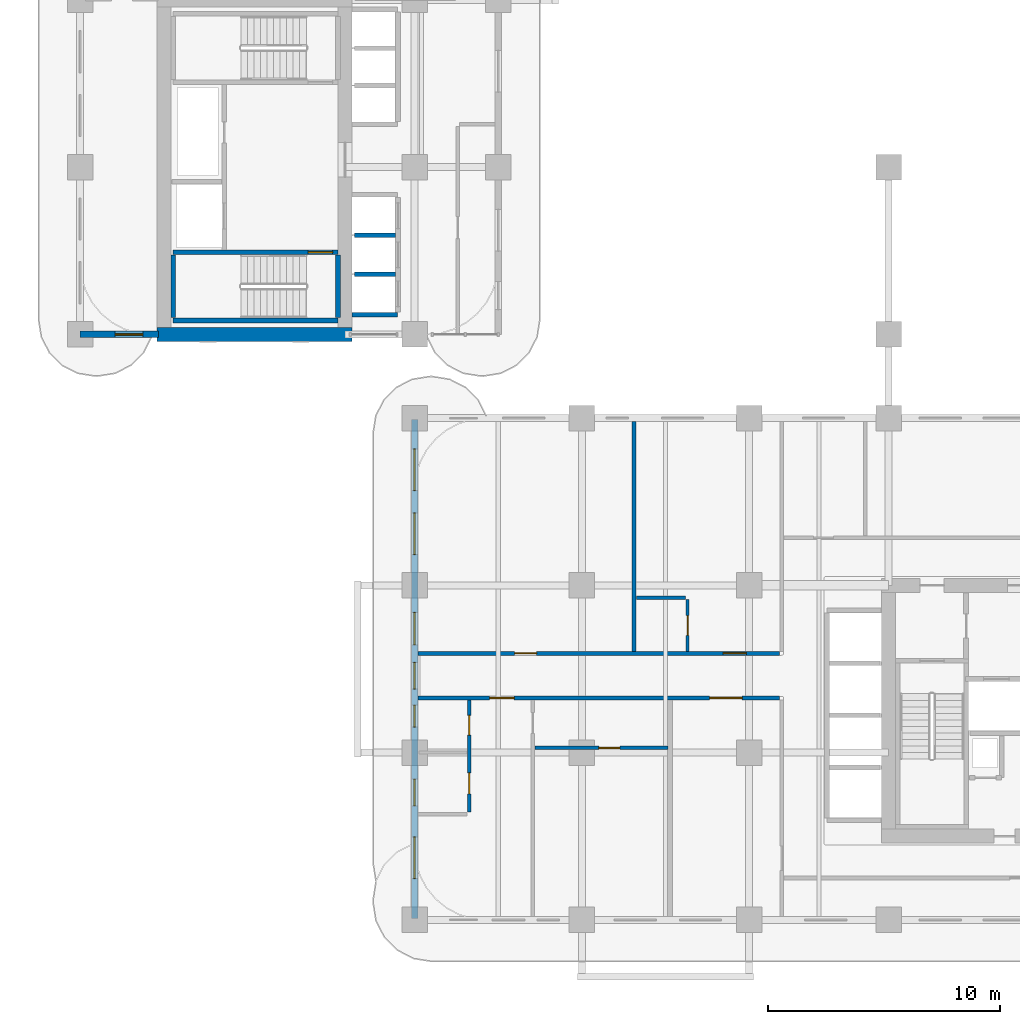
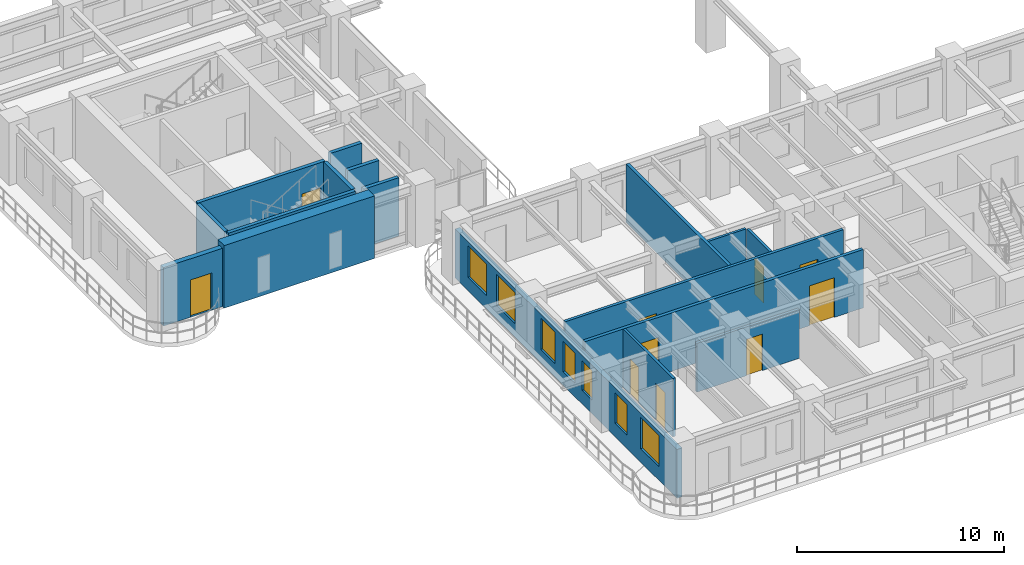
# One storey, part 6 of 18: 17 walls, 10 doors, 7 windows, 17 openings.
"""IFC4 building model written with IfcOpenShell, lengths in metres."""

from ifc_helpers import new_model, si_unit, derived_unit, direction, frame, frame_2d, origin, place, context, subcontext, project, spatial, rectangle, extrude, source, transform, mapped, material, layer, layer_set, type_object, type_shapes, element, fill, save


model = new_model("IFC4")

# Units and contexts
model_context = context("Model", 3, precision=1e-05, world=origin(), true_north=direction((0.0, 1.0)))
body_context = subcontext(model_context, "Body", "Model", "MODEL_VIEW")
ifc_project = project(units=[si_unit("LENGTHUNIT", "METRE"), si_unit("AREAUNIT", "SQUARE_METRE"), si_unit("VOLUMEUNIT", "CUBIC_METRE"), si_unit("PLANEANGLEUNIT", "RADIAN"), si_unit("MASSUNIT", "GRAM", prefix="KILO"), si_unit("THERMODYNAMICTEMPERATUREUNIT", "KELVIN"), si_unit("POWERUNIT", "WATT"), derived_unit("THERMALTRANSMITTANCEUNIT", [(si_unit("POWERUNIT", "WATT"), 1), (si_unit("AREAUNIT", "SQUARE_METRE"), -1), (si_unit("THERMODYNAMICTEMPERATUREUNIT", "KELVIN"), -1)])], contexts=[model_context])

# Site, building, storey
site_placement = place(None, origin())
site = spatial("IfcSite", under=ifc_project, at=site_placement, CompositionType="ELEMENT")
building_placement = place(site_placement, origin())
building = spatial("IfcBuilding", under=site, at=building_placement, Name="Zahravan Archway Hotel and Residences", CompositionType="ELEMENT")
storey_placement = place(building_placement, frame((0.0, 0.0, 58.300048828125)))
storey = spatial("IfcBuildingStorey", under=building, at=storey_placement, Name="L13", CompositionType="ELEMENT", Elevation=58.300048828125)

# Wall
ifc_material_1 = material(Name="Concrete C70/85", Category="concrete")
ifc_layer_1 = layer(ifc_material_1, 0.60009765625, Name="Concrete C70/85", Category="concrete")
ifc_layer_set_1 = layer_set([ifc_layer_1], Name="Concrete C70/85")
wall_type_1 = type_object("IfcWallType", Name="CW-CORE-600", PredefinedType="SHEAR", material=ifc_layer_set_1)
wall_1_placement = place(storey_placement, frame((3.300048828125, 25.199951171875, 0.0), z_axis=(0.0, 0.0, 1.0), x_axis=(1.0, 0.0, 0.0)))
element("IfcWall", 1, at=wall_1_placement, inside=storey, type_object=wall_type_1, Name="L13 Core B Shear S Wall 600 mm", PredefinedType="SHEAR", context=body_context, shape_type="SweptSolid", body=[
    extrude(rectangle(XDim=8.39990234375, YDim=0.60009765625, at=frame_2d((4.199951171875, 0.0))), origin(), (0.0, 0.0, 1.0), 3.699951171875),
])

# Wall, openings, windows
ifc_material_2 = material(Name="Honed Red-Ochre Sandstone & Insulated Block", Category="masonry")
ifc_layer_2 = layer(ifc_material_2, 0.280029296875, Name="Honed Red-Ochre Sandstone & Insulated Block", Category="masonry")
ifc_layer_set_2 = layer_set([ifc_layer_2], Name="Honed Red-Ochre Sandstone & Insulated Block")
wall_type_2 = type_object("IfcWallType", Name="EW-LOG-280", PredefinedType="SOLIDWALL", material=ifc_layer_set_2)
wall_2_placement = place(storey_placement, frame((14.39990234375, 0.050048828125, 0.0), z_axis=(0.0, 0.0, 1.0), x_axis=(0.0, 1.0, 0.0)))
wall_2 = element("IfcWall", 2, at=wall_2_placement, inside=storey, type_object=wall_type_2, Name="L13 Exterior Sandstone Wall WA-W", PredefinedType="SOLIDWALL", context=body_context, shape_type="SweptSolid", body=[
    extrude(rectangle(XDim=21.5, YDim=0.280029296875, at=frame_2d((10.75, 0.0))), origin(), (0.0, 0.0, 1.0), 2.885009765625),
])
opening_1_placement = place(wall_2_placement, frame((1.720947265625, 0.0, 0.800048828125)))
opening_1 = element("IfcOpeningElement", 3, at=opening_1_placement, cuts=wall_2, Name="Opening W-02", PredefinedType="OPENING", context=body_context, shape_type="SweptSolid", body=[
    extrude(rectangle(XDim=1.800048828125, YDim=1.85009765625, at=frame_2d((0.89990234375, 0.925048828125))), frame((0.0, 0.14990234375, 0.0), z_axis=(0.0, -1.0, 0.0), x_axis=(1.0, 0.0, 0.0)), (0.0, 0.0, 1.0), 0.300048828125),
])
opening_2_placement = place(wall_2_placement, frame((4.85400390625, 0.0, 0.800048828125)))
opening_2 = element("IfcOpeningElement", 4, at=opening_2_placement, cuts=wall_2, Name="Opening W-05", PredefinedType="OPENING", context=body_context, shape_type="SweptSolid", body=[
    extrude(rectangle(XDim=1.14990234375, YDim=1.800048828125, at=frame_2d((0.574951171875, 0.89990234375))), frame((0.0, 0.14990234375, 0.0), z_axis=(0.0, -1.0, 0.0), x_axis=(1.0, 0.0, 0.0)), (0.0, 0.0, 1.0), 0.300048828125),
])
opening_3_placement = place(wall_2_placement, frame((8.24609375, 0.0, 0.800048828125)))
opening_3 = element("IfcOpeningElement", 5, at=opening_3_placement, cuts=wall_2, Name="Opening W-04", PredefinedType="OPENING", context=body_context, shape_type="SweptSolid", body=[
    extrude(rectangle(XDim=0.949951171875, YDim=1.75, at=frame_2d((0.47509765625, 0.875))), frame((0.0, 0.14990234375, 0.0), z_axis=(0.0, -1.0, 0.0), x_axis=(1.0, 0.0, 0.0)), (0.0, 0.0, 1.0), 0.300048828125),
])
opening_4_placement = place(wall_2_placement, frame((9.885009765625, 0.0, 0.800048828125)))
opening_4 = element("IfcOpeningElement", 6, at=opening_4_placement, cuts=wall_2, Name="Opening W-05", PredefinedType="OPENING", context=body_context, shape_type="SweptSolid", body=[
    extrude(rectangle(XDim=1.14990234375, YDim=1.800048828125, at=frame_2d((0.574951171875, 0.89990234375))), frame((0.0, 0.14990234375, 0.0), z_axis=(0.0, -1.0, 0.0), x_axis=(1.0, 0.0, 0.0)), (0.0, 0.0, 1.0), 0.300048828125),
])
opening_5_placement = place(wall_2_placement, frame((11.7890625, 0.0, 0.800048828125)))
opening_5 = element("IfcOpeningElement", 7, at=opening_5_placement, cuts=wall_2, Name="Opening W-03", PredefinedType="OPENING", context=body_context, shape_type="SweptSolid", body=[
    extrude(rectangle(XDim=1.39990234375, YDim=1.85009765625, at=frame_2d((0.699951171875, 0.925048828125))), frame((0.0, 0.14990234375, 0.0), z_axis=(0.0, -1.0, 0.0), x_axis=(1.0, 0.0, 0.0)), (0.0, 0.0, 1.0), 0.300048828125),
])
opening_6_placement = place(wall_2_placement, frame((15.675048828125, 0.0, 0.800048828125)))
opening_6 = element("IfcOpeningElement", 8, at=opening_6_placement, cuts=wall_2, Name="Opening W-02", PredefinedType="OPENING", context=body_context, shape_type="SweptSolid", body=[
    extrude(rectangle(XDim=1.800048828125, YDim=1.85009765625, at=frame_2d((0.89990234375, 0.925048828125))), frame((0.0, 0.14990234375, 0.0), z_axis=(0.0, -1.0, 0.0), x_axis=(1.0, 0.0, 0.0)), (0.0, 0.0, 1.0), 0.300048828125),
])
opening_7_placement = place(wall_2_placement, frame((18.425048828125, 0.0, 0.800048828125)))
opening_7 = element("IfcOpeningElement", 9, at=opening_7_placement, cuts=wall_2, Name="Opening W-02", PredefinedType="OPENING", context=body_context, shape_type="SweptSolid", body=[
    extrude(rectangle(XDim=1.800048828125, YDim=1.85009765625, at=frame_2d((0.89990234375, 0.925048828125))), frame((0.0, 0.14990234375, 0.0), z_axis=(0.0, -1.0, 0.0), x_axis=(1.0, 0.0, 0.0)), (0.0, 0.0, 1.0), 0.300048828125),
])
ifc_material_3 = material(Name="Bronze-Anodized Thermal-Break Aluminium & Low-E Glass", Category="aluminium")
window_type_1 = type_object("IfcWindowType", Name="WIN-TWR-1400", PartitioningType="SINGLE_PANEL", PredefinedType="WINDOW", material=ifc_material_3)
shared_shape_1 = source(origin(), body_context, "Body", "SweptSolid", [
    extrude(rectangle(XDim=1.39990234375, YDim=1.85009765625, at=frame_2d((0.699951171875, 0.925048828125))), frame((0.0, 0.030029296875, 0.0), z_axis=(0.0, -1.0, 0.0), x_axis=(1.0, 0.0, 0.0)), (0.0, 0.0, 1.0), 0.06005859375),
])
type_shapes(window_type_1, [shared_shape_1])
window_1_placement = place(opening_5_placement, origin())
window_1 = element("IfcWindow", 10, at=window_1_placement, inside=storey, type_object=window_type_1, Name="L13 Loggia Window 31", OverallHeight=1.85009765625, OverallWidth=1.39990234375, PartitioningType="SINGLE_PANEL", PredefinedType="WINDOW", context=body_context, shape_type="MappedRepresentation", body=[
    mapped(shared_shape_1, transform((0.0, 0.0, 0.0), scale=1.0)),
])
fill(opening_5, window_1)
window_type_2 = type_object("IfcWindowType", Name="WIN-NAR-950", PartitioningType="SINGLE_PANEL", PredefinedType="WINDOW", material=ifc_material_3)
shared_shape_2 = source(origin(), body_context, "Body", "SweptSolid", [
    extrude(rectangle(XDim=0.949951171875, YDim=1.75, at=frame_2d((0.47509765625, 0.875))), frame((0.0, 0.030029296875, 0.0), z_axis=(0.0, -1.0, 0.0), x_axis=(1.0, 0.0, 0.0)), (0.0, 0.0, 1.0), 0.06005859375),
])
type_shapes(window_type_2, [shared_shape_2])
window_2_placement = place(opening_3_placement, origin())
window_2 = element("IfcWindow", 11, at=window_2_placement, inside=storey, type_object=window_type_2, Name="L13 Loggia Window 29", OverallHeight=1.75, OverallWidth=0.949951171875, PartitioningType="SINGLE_PANEL", PredefinedType="WINDOW", context=body_context, shape_type="MappedRepresentation", body=[
    mapped(shared_shape_2, transform((0.0, 0.0, 0.0), scale=1.0)),
])
fill(opening_3, window_2)
window_type_3 = type_object("IfcWindowType", Name="WIN-TWR-1800", PartitioningType="DOUBLE_PANEL_VERTICAL", PredefinedType="WINDOW", material=ifc_material_3)
shared_shape_3 = source(origin(), body_context, "Body", "SweptSolid", [
    extrude(rectangle(XDim=1.800048828125, YDim=1.85009765625, at=frame_2d((0.89990234375, 0.925048828125))), frame((0.0, 0.030029296875, 0.0), z_axis=(0.0, -1.0, 0.0), x_axis=(1.0, 0.0, 0.0)), (0.0, 0.0, 1.0), 0.06005859375),
])
type_shapes(window_type_3, [shared_shape_3])
window_3_placement = place(opening_1_placement, origin())
window_3 = element("IfcWindow", 12, at=window_3_placement, inside=storey, type_object=window_type_3, Name="L13 Loggia Window 27", OverallHeight=1.85009765625, OverallWidth=1.800048828125, PartitioningType="DOUBLE_PANEL_VERTICAL", PredefinedType="WINDOW", context=body_context, shape_type="MappedRepresentation", body=[
    mapped(shared_shape_3, transform((0.0, 0.0, 0.0), scale=1.0)),
])
fill(opening_1, window_3)
window_4_placement = place(opening_6_placement, origin())
window_4 = element("IfcWindow", 13, at=window_4_placement, inside=storey, type_object=window_type_3, Name="L13 Loggia Window 32", OverallHeight=1.85009765625, OverallWidth=1.800048828125, PartitioningType="DOUBLE_PANEL_VERTICAL", PredefinedType="WINDOW", context=body_context, shape_type="MappedRepresentation", body=[
    mapped(shared_shape_3, transform((0.0, 0.0, 0.0), scale=1.0)),
])
fill(opening_6, window_4)
window_5_placement = place(opening_7_placement, origin())
window_5 = element("IfcWindow", 14, at=window_5_placement, inside=storey, type_object=window_type_3, Name="L13 Loggia Window 33", OverallHeight=1.85009765625, OverallWidth=1.800048828125, PartitioningType="DOUBLE_PANEL_VERTICAL", PredefinedType="WINDOW", context=body_context, shape_type="MappedRepresentation", body=[
    mapped(shared_shape_3, transform((0.0, 0.0, 0.0), scale=1.0)),
])
fill(opening_7, window_5)
window_type_4 = type_object("IfcWindowType", Name="WIN-TWR-1150", PartitioningType="SINGLE_PANEL", PredefinedType="WINDOW", material=ifc_material_3)
shared_shape_4 = source(origin(), body_context, "Body", "SweptSolid", [
    extrude(rectangle(XDim=1.14990234375, YDim=1.800048828125, at=frame_2d((0.574951171875, 0.89990234375))), frame((0.0, 0.030029296875, 0.0), z_axis=(0.0, -1.0, 0.0), x_axis=(1.0, 0.0, 0.0)), (0.0, 0.0, 1.0), 0.06005859375),
])
type_shapes(window_type_4, [shared_shape_4])
window_6_placement = place(opening_2_placement, origin())
window_6 = element("IfcWindow", 15, at=window_6_placement, inside=storey, type_object=window_type_4, Name="L13 Loggia Window 28", OverallHeight=1.800048828125, OverallWidth=1.14990234375, PartitioningType="SINGLE_PANEL", PredefinedType="WINDOW", context=body_context, shape_type="MappedRepresentation", body=[
    mapped(shared_shape_4, transform((0.0, 0.0, 0.0), scale=1.0)),
])
fill(opening_2, window_6)
window_7_placement = place(opening_4_placement, origin())
window_7 = element("IfcWindow", 16, at=window_7_placement, inside=storey, type_object=window_type_4, Name="L13 Loggia Window 30", OverallHeight=1.800048828125, OverallWidth=1.14990234375, PartitioningType="SINGLE_PANEL", PredefinedType="WINDOW", context=body_context, shape_type="MappedRepresentation", body=[
    mapped(shared_shape_4, transform((0.0, 0.0, 0.0), scale=1.0)),
])
fill(opening_4, window_7)

# Wall, opening, door
wall_3_placement = place(storey_placement, frame((0.0, 25.199951171875, 0.0), z_axis=(0.0, 0.0, 1.0), x_axis=(1.0, 0.0, 0.0)))
wall_3 = element("IfcWall", 17, at=wall_3_placement, inside=storey, type_object=wall_type_2, Name="L13 Exterior Sandstone Wall WB-SW", PredefinedType="SOLIDWALL", context=body_context, shape_type="SweptSolid", body=[
    extrude(rectangle(XDim=3.3798828125, YDim=0.280029296875, at=frame_2d((1.68994140625, 0.0))), origin(), (0.0, 0.0, 1.0), 3.449951171875),
])
opening_8_placement = place(wall_3_placement, frame((1.5, 0.0, 0.0)))
opening_8 = element("IfcOpeningElement", 18, at=opening_8_placement, cuts=wall_3, Name="Opening ED-BL1", PredefinedType="OPENING", context=body_context, shape_type="SweptSolid", body=[
    extrude(rectangle(XDim=1.199951171875, YDim=2.199951171875, at=frame_2d((0.60009765625, 1.10009765625))), frame((0.0, 0.14990234375, 0.0), z_axis=(0.0, -1.0, 0.0), x_axis=(1.0, 0.0, 0.0)), (0.0, 0.0, 1.0), 0.300048828125),
])
ifc_material_4 = material(Name="Bronze-Anodized Glazed Aluminium", Category="aluminium")
door_type_1 = type_object("IfcDoorType", Name="ED-BALC-1200", OperationType="SLIDING_TO_LEFT", PredefinedType="DOOR", material=ifc_material_4)
shared_shape_5 = source(origin(), body_context, "Body", "SweptSolid", [
    extrude(rectangle(XDim=1.199951171875, YDim=2.199951171875, at=frame_2d((0.60009765625, 1.10009765625))), frame((0.0, 0.02490234375, 0.0), z_axis=(0.0, -1.0, 0.0), x_axis=(1.0, 0.0, 0.0)), (0.0, 0.0, 1.0), 0.050048828125),
])
type_shapes(door_type_1, [shared_shape_5])
door_1_placement = place(opening_8_placement, origin())
door_1 = element("IfcDoor", 19, at=door_1_placement, inside=storey, type_object=door_type_1, Name="L13 Outdoor Access Sliding Door (SLB-BAL-L13-WB)", OperationType="SLIDING_TO_LEFT", OverallHeight=2.199951171875, OverallWidth=1.199951171875, PredefinedType="DOOR", context=body_context, shape_type="MappedRepresentation", body=[
    mapped(shared_shape_5, transform((0.0, 0.0, 0.0), scale=1.0)),
])
fill(opening_8, door_1)

# Wall, openings, doors
ifc_material_5 = material(Name="Fire-Rated Gypsum & Concrete Block", Category="concrete")
ifc_layer_3 = layer(ifc_material_5, 0.159912109375, Name="Fire-Rated Gypsum & Concrete Block", Category="concrete")
ifc_layer_set_3 = layer_set([ifc_layer_3], Name="Fire-Rated Gypsum & Concrete Block")
wall_type_3 = type_object("IfcWallType", Name="PW-CORR-160", PredefinedType="PARTITIONING", material=ifc_layer_set_3)
wall_4_placement = place(storey_placement, frame((14.548095703125, 11.469970703125, 0.0), z_axis=(0.0, 0.0, 1.0), x_axis=(1.0, 0.0, 0.0)))
wall_4 = element("IfcWall", 20, at=wall_4_placement, inside=storey, type_object=wall_type_3, Name="L13 Partition WA-CN", PredefinedType="PARTITIONING", context=body_context, shape_type="SweptSolid", body=[
    extrude(rectangle(XDim=15.56201171875, YDim=0.159912109375, at=frame_2d((7.781005859375, 0.0))), origin(), (0.0, 0.0, 1.0), 3.449951171875),
])
opening_9_placement = place(wall_4_placement, frame((4.152099609375, 0.0, 0.0)))
opening_9 = element("IfcOpeningElement", 21, at=opening_9_placement, cuts=wall_4, Name="Opening D-I1", PredefinedType="OPENING", context=body_context, shape_type="SweptSolid", body=[
    extrude(rectangle(XDim=0.949951171875, YDim=2.14990234375, at=frame_2d((0.47509765625, 1.074951171875))), frame((0.0, 0.08984375, 0.0), z_axis=(0.0, -1.0, 0.0), x_axis=(1.0, 0.0, 0.0)), (0.0, 0.0, 1.0), 0.179931640625),
])
opening_10_placement = place(wall_4_placement, frame((13.126953125, 0.0, 0.0)))
opening_10 = element("IfcOpeningElement", 22, at=opening_10_placement, cuts=wall_4, Name="Opening D-U2", PredefinedType="OPENING", context=body_context, shape_type="SweptSolid", body=[
    extrude(rectangle(XDim=1.0, YDim=2.199951171875, at=frame_2d((0.5, 1.10009765625))), frame((0.0, 0.08984375, 0.0), z_axis=(0.0, -1.0, 0.0), x_axis=(1.0, 0.0, 0.0)), (0.0, 0.0, 1.0), 0.179931640625),
])
ifc_material_6 = material(Name="Hardwood Veneer Timber", Category="wood")
door_type_2 = type_object("IfcDoorType", Name="ID-INT-950", OperationType="NOTDEFINED", PredefinedType="DOOR", material=ifc_material_6)
shared_shape_6 = source(origin(), body_context, "Body", "SweptSolid", [
    extrude(rectangle(XDim=0.949951171875, YDim=2.14990234375, at=frame_2d((0.47509765625, 1.074951171875))), frame((0.0, 0.02490234375, 0.0), z_axis=(0.0, -1.0, 0.0), x_axis=(1.0, 0.0, 0.0)), (0.0, 0.0, 1.0), 0.050048828125),
])
type_shapes(door_type_2, [shared_shape_6])
door_2_placement = place(opening_9_placement, origin())
door_2 = element("IfcDoor", 23, at=door_2_placement, inside=storey, type_object=door_type_2, Name="L13 Portal Study Door", OperationType="SINGLE_SWING_RIGHT", OverallHeight=2.14990234375, OverallWidth=0.949951171875, PredefinedType="DOOR", context=body_context, shape_type="MappedRepresentation", body=[
    mapped(shared_shape_6, transform((0.0, 0.0, 0.0), scale=1.0)),
])
fill(opening_9, door_2)
door_type_3 = type_object("IfcDoorType", Name="ID-UNIT-1000", OperationType="NOTDEFINED", PredefinedType="DOOR", material=ifc_material_6)
shared_shape_7 = source(origin(), body_context, "Body", "SweptSolid", [
    extrude(rectangle(XDim=1.0, YDim=2.199951171875, at=frame_2d((0.5, 1.10009765625))), frame((0.0, 0.02490234375, 0.0), z_axis=(0.0, -1.0, 0.0), x_axis=(1.0, 0.0, 0.0)), (0.0, 0.0, 1.0), 0.050048828125),
])
type_shapes(door_type_3, [shared_shape_7])
door_3_placement = place(opening_10_placement, origin())
door_3 = element("IfcDoor", 24, at=door_3_placement, inside=storey, type_object=door_type_3, Name="L13 Hotel Guestroom 45 Entrance Door", OperationType="SINGLE_SWING_RIGHT", OverallHeight=2.199951171875, OverallWidth=1.0, PredefinedType="DOOR", context=body_context, shape_type="MappedRepresentation", body=[
    mapped(shared_shape_7, transform((0.0, 0.0, 0.0), scale=1.0)),
])
fill(opening_10, door_3)

ifc_layer_4 = layer(ifc_material_5, 0.179931640625, Name="Fire-Rated Gypsum & Concrete Block", Category="concrete")
ifc_layer_set_4 = layer_set([ifc_layer_4], Name="Fire-Rated Gypsum & Concrete Block")
wall_type_4 = type_object("IfcWallType", Name="PW-CORR-180", PredefinedType="PARTITIONING", material=ifc_layer_set_4)
wall_5_placement = place(storey_placement, frame((14.548095703125, 9.550048828125, 0.0), z_axis=(0.0, 0.0, 1.0), x_axis=(1.0, 0.0, 0.0)))
wall_5 = element("IfcWall", 25, at=wall_5_placement, inside=storey, type_object=wall_type_4, Name="L13 Partition WA-CS", PredefinedType="PARTITIONING", context=body_context, shape_type="SweptSolid", body=[
    extrude(rectangle(XDim=15.56201171875, YDim=0.179931640625, at=frame_2d((7.781005859375, 0.0))), origin(), (0.0, 0.0, 1.0), 3.449951171875),
])
opening_11_placement = place(wall_5_placement, frame((3.08203125, 0.0, 0.0)))
opening_11 = element("IfcOpeningElement", 26, at=opening_11_placement, cuts=wall_5, Name="Opening D-U1", PredefinedType="OPENING", context=body_context, shape_type="SweptSolid", body=[
    extrude(rectangle(XDim=1.050048828125, YDim=2.25, at=frame_2d((0.52490234375, 1.125))), frame((0.0, 0.10009765625, 0.0), z_axis=(0.0, -1.0, 0.0), x_axis=(1.0, 0.0, 0.0)), (0.0, 0.0, 1.0), 0.199951171875),
])
opening_12_placement = place(wall_5_placement, frame((12.552001953125, 0.0, 0.0)))
opening_12 = element("IfcOpeningElement", 27, at=opening_12_placement, cuts=wall_5, Name="Opening D-P1", PredefinedType="OPENING", context=body_context, shape_type="SweptSolid", body=[
    extrude(rectangle(XDim=1.39990234375, YDim=2.35009765625, at=frame_2d((0.699951171875, 1.175048828125))), frame((0.0, 0.10009765625, 0.0), z_axis=(0.0, -1.0, 0.0), x_axis=(1.0, 0.0, 0.0)), (0.0, 0.0, 1.0), 0.199951171875),
])
door_type_4 = type_object("IfcDoorType", Name="ID-PUBLIC-1400", OperationType="DOUBLE_DOOR_SINGLE_SWING", PredefinedType="DOOR", material=ifc_material_4)
shared_shape_8 = source(origin(), body_context, "Body", "SweptSolid", [
    extrude(rectangle(XDim=1.39990234375, YDim=2.35009765625, at=frame_2d((0.699951171875, 1.175048828125))), frame((0.0, 0.02490234375, 0.0), z_axis=(0.0, -1.0, 0.0), x_axis=(1.0, 0.0, 0.0)), (0.0, 0.0, 1.0), 0.050048828125),
])
type_shapes(door_type_4, [shared_shape_8])
door_4_placement = place(opening_12_placement, origin())
door_4 = element("IfcDoor", 28, at=door_4_placement, inside=storey, type_object=door_type_4, Name="L13 South Spa Salon Door", OperationType="DOUBLE_DOOR_SINGLE_SWING", OverallHeight=2.35009765625, OverallWidth=1.39990234375, PredefinedType="DOOR", context=body_context, shape_type="MappedRepresentation", body=[
    mapped(shared_shape_8, transform((0.0, 0.0, 0.0), scale=1.0)),
])
fill(opening_12, door_4)
door_type_5 = type_object("IfcDoorType", Name="ID-UNIT-1050", OperationType="NOTDEFINED", PredefinedType="DOOR", material=ifc_material_6)
shared_shape_9 = source(origin(), body_context, "Body", "SweptSolid", [
    extrude(rectangle(XDim=1.050048828125, YDim=2.25, at=frame_2d((0.52490234375, 1.125))), frame((0.0, 0.02490234375, 0.0), z_axis=(0.0, -1.0, 0.0), x_axis=(1.0, 0.0, 0.0)), (0.0, 0.0, 1.0), 0.050048828125),
])
type_shapes(door_type_5, [shared_shape_9])
door_5_placement = place(opening_11_placement, origin())
door_5 = element("IfcDoor", 29, at=door_5_placement, inside=storey, type_object=door_type_5, Name="L13 Flat HS1 Entrance Door", OperationType="SINGLE_SWING_LEFT", OverallHeight=2.25, OverallWidth=1.050048828125, PredefinedType="DOOR", context=body_context, shape_type="MappedRepresentation", body=[
    mapped(shared_shape_9, transform((0.0, 0.0, 0.0), scale=1.0)),
])
fill(opening_11, door_5)

# Walls
ifc_layer_5 = layer(ifc_material_5, 0.199951171875, Name="Fire-Rated Gypsum & Concrete Block", Category="concrete")
ifc_layer_set_5 = layer_set([ifc_layer_5], Name="Fire-Rated Gypsum & Concrete Block")
wall_type_5 = type_object("IfcWallType", Name="PW-SHAFT-200", PredefinedType="PARTITIONING", material=ifc_layer_set_5)
wall_6_placement = place(storey_placement, frame((11.7099609375, 26.050048828125, 0.0), z_axis=(0.0, 0.0, 1.0), x_axis=(1.0, 0.0, 0.0)))
element("IfcWall", 30, at=wall_6_placement, inside=storey, type_object=wall_type_5, Name="L13 Partition B1-S", PredefinedType="PARTITIONING", context=body_context, shape_type="SweptSolid", body=[
    extrude(rectangle(XDim=1.9599609375, YDim=0.199951171875, at=frame_2d((0.97998046875, 0.0))), origin(), (0.0, 0.0, 1.0), 3.449951171875),
])
for number, where, z_axis, x_axis, name in (
    (31, (11.81005859375, 27.7900390625, 0.0), (0.0, 0.0, 1.0), (1.0, 0.0, 0.0), "L13 Partition B1-D"),
    (32, (11.81005859375, 29.469970703125, 0.0), (0.0, 0.0, 1.0), (1.0, 0.0, 0.0), "L13 Partition B1-D"),
):
    element("IfcWall", number, at=place(storey_placement, frame(where, z_axis=z_axis, x_axis=x_axis)), inside=storey, type_object=wall_type_5, Name=name, PredefinedType="PARTITIONING", context=body_context, shape_type="SweptSolid", body=[
        extrude(rectangle(XDim=1.760009765625, YDim=0.199951171875, at=frame_2d((0.8798828125, 0.0))), origin(), (0.0, 0.0, 1.0), 3.449951171875),
    ])

# Wall, opening, door
ifc_material_7 = material(Name="Acoustic Stud Partition")
ifc_layer_6 = layer(ifc_material_7, 0.14990234375, Name="Acoustic Stud Partition")
ifc_layer_set_6 = layer_set([ifc_layer_6], Name="Acoustic Stud Partition")
wall_type_6 = type_object("IfcWallType", Name="PW-UNIT-150", PredefinedType="PARTITIONING", material=ifc_layer_set_6)
wall_7_placement = place(storey_placement, frame((19.570068359375, 7.39990234375, 0.0), z_axis=(0.0, 0.0, 1.0), x_axis=(1.0, 0.0, 0.0)))
wall_7 = element("IfcWall", 33, at=wall_7_placement, inside=storey, type_object=wall_type_6, Name="L13 Partition FL-HS1-GH", PredefinedType="PARTITIONING", context=body_context, shape_type="SweptSolid", body=[
    extrude(rectangle(XDim=5.739990234375, YDim=0.14990234375, at=frame_2d((2.8701171875, 0.0))), origin(), (0.0, 0.0, 1.0), 2.885009765625),
])
opening_13_placement = place(wall_7_placement, frame((2.762451171875, 0.0, 0.0)))
opening_13 = element("IfcOpeningElement", 34, at=opening_13_placement, cuts=wall_7, Name="Opening D-I2", PredefinedType="OPENING", context=body_context, shape_type="SweptSolid", body=[
    extrude(rectangle(XDim=0.89990234375, YDim=2.14990234375, at=frame_2d((0.449951171875, 1.074951171875))), frame((0.0, 0.0849609375, 0.0), z_axis=(0.0, -1.0, 0.0), x_axis=(1.0, 0.0, 0.0)), (0.0, 0.0, 1.0), 0.169921875),
])
door_type_6 = type_object("IfcDoorType", Name="ID-INT-900", OperationType="NOTDEFINED", PredefinedType="DOOR", material=ifc_material_6)
shared_shape_10 = source(origin(), body_context, "Body", "SweptSolid", [
    extrude(rectangle(XDim=0.89990234375, YDim=2.14990234375, at=frame_2d((0.449951171875, 1.074951171875))), frame((0.0, 0.02490234375, 0.0), z_axis=(0.0, -1.0, 0.0), x_axis=(1.0, 0.0, 0.0)), (0.0, 0.0, 1.0), 0.050048828125),
])
type_shapes(door_type_6, [shared_shape_10])
door_6_placement = place(opening_13_placement, origin())
door_6 = element("IfcDoor", 35, at=door_6_placement, inside=storey, type_object=door_type_6, Name="L13 Flat HS1 Bedroom 1 Door", OperationType="SINGLE_SWING_RIGHT", OverallHeight=2.14990234375, OverallWidth=0.89990234375, PredefinedType="DOOR", context=body_context, shape_type="MappedRepresentation", body=[
    mapped(shared_shape_10, transform((0.0, 0.0, 0.0), scale=1.0)),
])
fill(opening_13, door_6)

# Wall
ifc_layer_7 = layer(ifc_material_7, 0.169921875, Name="Acoustic Stud Partition")
ifc_layer_set_7 = layer_set([ifc_layer_7], Name="Acoustic Stud Partition")
wall_type_7 = type_object("IfcWallType", Name="PW-UNIT-170", PredefinedType="PARTITIONING", material=ifc_layer_set_7)
wall_8_placement = place(storey_placement, frame((23.85009765625, 11.56005859375, 0.0), z_axis=(0.0, 0.0, 1.0), x_axis=(0.0, 1.0, 0.0)))
element("IfcWall", 36, at=wall_8_placement, inside=storey, type_object=wall_type_7, Name="L13 Partition WAN-P3", PredefinedType="PARTITIONING", context=body_context, shape_type="SweptSolid", body=[
    extrude(rectangle(XDim=9.891845703125, YDim=0.169921875, at=frame_2d((4.94580078125, 0.0))), origin(), (0.0, 0.0, 1.0), 3.449951171875),
])

# Wall, openings, doors
ifc_material_8 = material(Name="Moisture-Resistant Blockwork", Category="masonry")
ifc_layer_8 = layer(ifc_material_8, 0.139892578125, Name="Moisture-Resistant Blockwork", Category="masonry")
ifc_layer_set_8 = layer_set([ifc_layer_8], Name="Moisture-Resistant Blockwork")
wall_type_8 = type_object("IfcWallType", Name="PW-WET-140", PredefinedType="PARTITIONING", material=ifc_layer_set_8)
wall_9_placement = place(storey_placement, frame((16.75, 4.639892578125, 0.0), z_axis=(0.0, 0.0, 1.0), x_axis=(0.0, 1.0, 0.0)))
wall_9 = element("IfcWall", 37, at=wall_9_placement, inside=storey, type_object=wall_type_8, Name="L13 Partition FL-HS1-BV", PredefinedType="PARTITIONING", context=body_context, shape_type="SweptSolid", body=[
    extrude(rectangle(XDim=4.820068359375, YDim=0.139892578125, at=frame_2d((2.41015625, 0.0))), origin(), (0.0, 0.0, 1.0), 3.449951171875),
])
opening_14_placement = place(wall_9_placement, frame((0.784912109375, 0.0, 0.0)))
opening_14 = element("IfcOpeningElement", 38, at=opening_14_placement, cuts=wall_9, Name="Opening D-I2", PredefinedType="OPENING", context=body_context, shape_type="SweptSolid", body=[
    extrude(rectangle(XDim=0.89990234375, YDim=2.14990234375, at=frame_2d((0.449951171875, 1.074951171875))), frame((0.0, 0.080078125, 0.0), z_axis=(0.0, -1.0, 0.0), x_axis=(1.0, 0.0, 0.0)), (0.0, 0.0, 1.0), 0.159912109375),
])
opening_15_placement = place(wall_9_placement, frame((3.31005859375, 0.0, 0.0)))
opening_15 = element("IfcOpeningElement", 39, at=opening_15_placement, cuts=wall_9, Name="Opening D-B1", PredefinedType="OPENING", context=body_context, shape_type="SweptSolid", body=[
    extrude(rectangle(XDim=0.85009765625, YDim=2.10009765625, at=frame_2d((0.425048828125, 1.050048828125))), frame((0.0, 0.080078125, 0.0), z_axis=(0.0, -1.0, 0.0), x_axis=(1.0, 0.0, 0.0)), (0.0, 0.0, 1.0), 0.159912109375),
])
door_type_7 = type_object("IfcDoorType", Name="ID-BATH-850", OperationType="NOTDEFINED", PredefinedType="DOOR", material=ifc_material_6)
shared_shape_11 = source(origin(), body_context, "Body", "SweptSolid", [
    extrude(rectangle(XDim=0.85009765625, YDim=2.10009765625, at=frame_2d((0.425048828125, 1.050048828125))), frame((0.0, 0.02490234375, 0.0), z_axis=(0.0, -1.0, 0.0), x_axis=(1.0, 0.0, 0.0)), (0.0, 0.0, 1.0), 0.050048828125),
])
type_shapes(door_type_7, [shared_shape_11])
door_7_placement = place(opening_15_placement, origin())
door_7 = element("IfcDoor", 40, at=door_7_placement, inside=storey, type_object=door_type_7, Name="L13 Flat HS1 Bathroom Door", OperationType="SINGLE_SWING_RIGHT", OverallHeight=2.10009765625, OverallWidth=0.85009765625, PredefinedType="DOOR", context=body_context, shape_type="MappedRepresentation", body=[
    mapped(shared_shape_11, transform((0.0, 0.0, 0.0), scale=1.0)),
])
fill(opening_15, door_7)
door_8_placement = place(opening_14_placement, origin())
door_8 = element("IfcDoor", 41, at=door_8_placement, inside=storey, type_object=door_type_6, Name="L13 Flat HS1 Kitchen Door", OperationType="SINGLE_SWING_LEFT", OverallHeight=2.14990234375, OverallWidth=0.89990234375, PredefinedType="DOOR", context=body_context, shape_type="MappedRepresentation", body=[
    mapped(shared_shape_10, transform((0.0, 0.0, 0.0), scale=1.0)),
])
fill(opening_14, door_8)

# Wall, opening, door
wall_10_placement = place(storey_placement, frame((26.14990234375, 11.56005859375, 0.0), z_axis=(0.0, 0.0, 1.0), x_axis=(0.0, 1.0, 0.0)))
wall_10 = element("IfcWall", 42, at=wall_10_placement, inside=storey, type_object=wall_type_8, Name="L13 Partition HKB-V45", PredefinedType="PARTITIONING", context=body_context, shape_type="SweptSolid", body=[
    extrude(rectangle(XDim=2.219970703125, YDim=0.139892578125, at=frame_2d((1.10986328125, 0.0))), origin(), (0.0, 0.0, 1.0), 3.449951171875),
])
opening_16_placement = place(wall_10_placement, frame((0.68505859375, 0.0, 0.0)))
opening_16 = element("IfcOpeningElement", 43, at=opening_16_placement, cuts=wall_10, Name="Opening D-B1", PredefinedType="OPENING", context=body_context, shape_type="SweptSolid", body=[
    extrude(rectangle(XDim=0.85009765625, YDim=2.10009765625, at=frame_2d((0.425048828125, 1.050048828125))), frame((0.0, 0.080078125, 0.0), z_axis=(0.0, -1.0, 0.0), x_axis=(1.0, 0.0, 0.0)), (0.0, 0.0, 1.0), 0.159912109375),
])
door_9_placement = place(opening_16_placement, origin())
door_9 = element("IfcDoor", 44, at=door_9_placement, inside=storey, type_object=door_type_7, Name="L13 Guestroom 45 En-Suite Door", OperationType="SINGLE_SWING_LEFT", OverallHeight=2.10009765625, OverallWidth=0.85009765625, PredefinedType="DOOR", context=body_context, shape_type="MappedRepresentation", body=[
    mapped(shared_shape_11, transform((0.0, 0.0, 0.0), scale=1.0)),
])
fill(opening_16, door_9)

# Walls
wall_11_placement = place(storey_placement, frame((23.93994140625, 13.8701171875, 0.0), z_axis=(0.0, 0.0, 1.0), x_axis=(1.0, 0.0, 0.0)))
element("IfcWall", 45, at=wall_11_placement, inside=storey, type_object=wall_type_8, Name="L13 Partition HKB-H45", PredefinedType="PARTITIONING", context=body_context, shape_type="SweptSolid", body=[
    extrude(rectangle(XDim=2.1201171875, YDim=0.139892578125, at=frame_2d((1.06005859375, 0.0))), origin(), (0.0, 0.0, 1.0), 3.449951171875),
])
ifc_material_9 = material(Name="Concrete C50/60", Category="concrete")
ifc_layer_9 = layer(ifc_material_9, 0.199951171875, Name="Concrete C50/60", Category="concrete")
ifc_layer_set_9 = layer_set([ifc_layer_9], Name="Concrete C50/60")
wall_type_9 = type_object("IfcWallType", Name="SW-STAIR-200", PredefinedType="SHEAR", material=ifc_layer_set_9)
wall_12_placement = place(storey_placement, frame((4.0, 25.800048828125, 0.0), z_axis=(0.0, 0.0, 1.0), x_axis=(1.0, 0.0, 0.0)))
element("IfcWall", 46, at=wall_12_placement, inside=storey, type_object=wall_type_9, Name="L13 Stairwell RC Wall CB-SB1S", PredefinedType="SHEAR", context=body_context, shape_type="SweptSolid", body=[
    extrude(rectangle(XDim=7.10009765625, YDim=0.199951171875, at=frame_2d((3.550048828125, 0.0))), origin(), (0.0, 0.0, 1.0), 3.699951171875),
])
for number, where, z_axis, x_axis, name in (
    (47, (4.0, 25.919921875, 0.0), (0.0, 0.0, 1.0), (0.0, 1.0, 0.0), "L13 Stairwell RC Wall CB-SB1W"),
    (48, (11.10009765625, 25.919921875, 0.0), (0.0, 0.0, 1.0), (0.0, 1.0, 0.0), "L13 Stairwell RC Wall CB-SB1E"),
):
    element("IfcWall", number, at=place(storey_placement, frame(where, z_axis=z_axis, x_axis=x_axis)), inside=storey, type_object=wall_type_9, Name=name, PredefinedType="SHEAR", context=body_context, shape_type="SweptSolid", body=[
        extrude(rectangle(XDim=2.7001953125, YDim=0.199951171875, at=frame_2d((1.35009765625, 0.0))), origin(), (0.0, 0.0, 1.0), 3.699951171875),
    ])

# Wall, opening, door
wall_13_placement = place(storey_placement, frame((4.0, 28.739990234375, 0.0), z_axis=(0.0, 0.0, 1.0), x_axis=(1.0, 0.0, 0.0)))
wall_13 = element("IfcWall", 49, at=wall_13_placement, inside=storey, type_object=wall_type_9, Name="L13 Stairwell RC Wall CB-SB1N", PredefinedType="SHEAR", context=body_context, shape_type="SweptSolid", body=[
    extrude(rectangle(XDim=7.10009765625, YDim=0.199951171875, at=frame_2d((3.550048828125, 0.0))), origin(), (0.0, 0.0, 1.0), 3.699951171875),
])
opening_17_placement = place(wall_13_placement, frame((5.81494140625, 0.0, 0.0)))
opening_17 = element("IfcOpeningElement", 50, at=opening_17_placement, cuts=wall_13, Name="Opening FD-S1", PredefinedType="OPENING", context=body_context, shape_type="SweptSolid", body=[
    extrude(rectangle(XDim=1.050048828125, YDim=2.199951171875, at=frame_2d((0.52490234375, 1.10009765625))), frame((0.0, 0.10986328125, 0.0), z_axis=(0.0, -1.0, 0.0), x_axis=(1.0, 0.0, 0.0)), (0.0, 0.0, 1.0), 0.219970703125),
])
ifc_material_10 = material(Name="Fire-Rated Painted Steel", Category="steel")
door_type_8 = type_object("IfcDoorType", Name="FD-STAIR-1100", OperationType="NOTDEFINED", PredefinedType="DOOR", material=ifc_material_10)
shared_shape_12 = source(origin(), body_context, "Body", "SweptSolid", [
    extrude(rectangle(XDim=1.050048828125, YDim=2.199951171875, at=frame_2d((0.52490234375, 1.10009765625))), frame((0.0, 0.02490234375, 0.0), z_axis=(0.0, -1.0, 0.0), x_axis=(1.0, 0.0, 0.0)), (0.0, 0.0, 1.0), 0.050048828125),
])
type_shapes(door_type_8, [shared_shape_12])
door_10_placement = place(opening_17_placement, origin())
door_10 = element("IfcDoor", 51, at=door_10_placement, inside=storey, type_object=door_type_8, Name="L13 Stair ST-B1 Door", OperationType="SINGLE_SWING_LEFT", OverallHeight=2.199951171875, OverallWidth=1.050048828125, PredefinedType="DOOR", context=body_context, shape_type="MappedRepresentation", body=[
    mapped(shared_shape_12, transform((0.0, 0.0, 0.0), scale=1.0)),
])
fill(opening_17, door_10)

save(model, "model.ifc")
